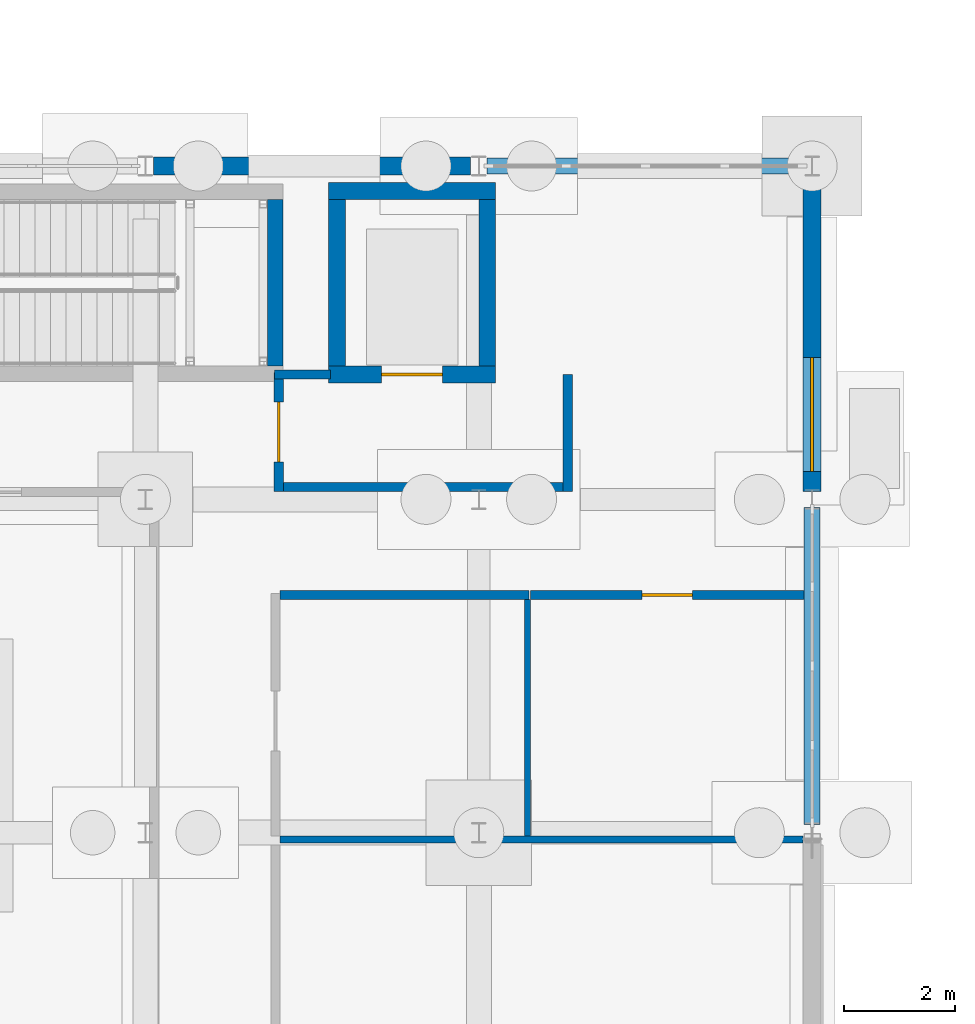
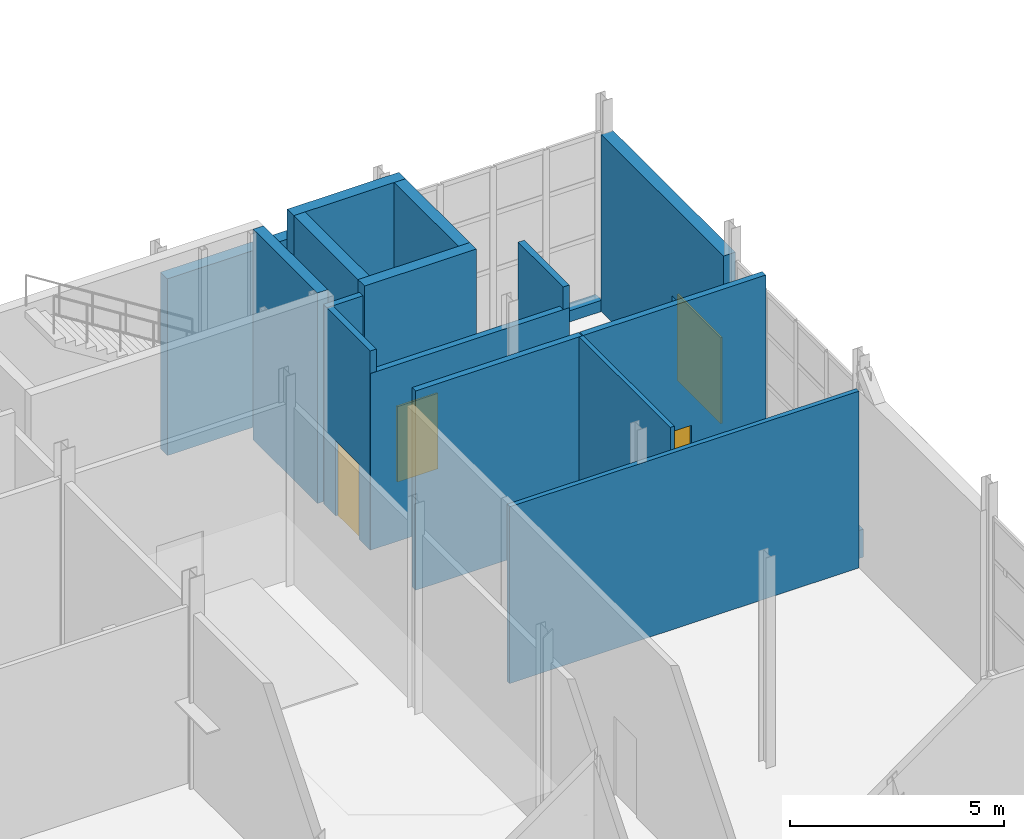
# One storey, part 98 of 120: 17 walls, 4 doors, 4 openings.
"""IFC4 building model written with IfcOpenShell, lengths in metres."""

from ifc_helpers import new_model, si_unit, direction, frame, frame_2d, origin, place, context, subcontext, project, spatial, rectangle, extrude, material, layer, layer_set, type_object, element, fill, save


model = new_model("IFC4")

# Units and contexts
model_context = context("Model", 3, precision=1e-05, world=origin(), true_north=direction((0.0, 1.0)))
body_context = subcontext(model_context, "Body", "Model", "MODEL_VIEW")
ifc_project = project(units=[si_unit("LENGTHUNIT", "METRE"), si_unit("AREAUNIT", "SQUARE_METRE"), si_unit("VOLUMEUNIT", "CUBIC_METRE"), si_unit("PLANEANGLEUNIT", "RADIAN"), si_unit("MASSUNIT", "GRAM", prefix="KILO")], contexts=[model_context])

# Site, building, storey
site_placement = place(None, origin())
site = spatial("IfcSite", under=ifc_project, at=site_placement, CompositionType="ELEMENT")
building_placement = place(site_placement, origin())
building = spatial("IfcBuilding", under=site, at=building_placement, Name="Siltcreek Boulevard Central Fire Station", CompositionType="ELEMENT")
storey_placement = place(building_placement, origin())
storey = spatial("IfcBuildingStorey", under=building, at=storey_placement, Name="L01", CompositionType="ELEMENT", Elevation=0.0)

# Wall
ifc_material_1 = material(Name="Concrete C40/50", Category="concrete")
ifc_layer_1 = layer(ifc_material_1, 0.280029296875, Name="Concrete C40/50")
ifc_layer_set_1 = layer_set([ifc_layer_1], Name="Concrete C40/50")
wall_type_1 = type_object("IfcWallType", Name="CW_SHEAR280", PredefinedType="SHEAR", material=ifc_layer_set_1)
wall_1_placement = place(storey_placement, frame((98.340087890625, 50.39990234375, 0.0), z_axis=(0.0, 0.0, 1.0), x_axis=(0.0, 1.0, 0.0)))
element("IfcWall", 1, at=wall_1_placement, inside=storey, type_object=wall_type_1, Name="L01 ST-V2A stair enclosure east shear wall", PredefinedType="SHEAR", context=body_context, shape_type="SweptSolid", body=[
    extrude(rectangle(XDim=3.0, YDim=0.280029296875, at=frame_2d((1.5, 0.0))), origin(), (0.0, 0.0, 1.0), 6.0),
])

# Wall, opening, door
ifc_layer_2 = layer(ifc_material_1, 0.304931640625, Name="Concrete C40/50")
ifc_layer_set_2 = layer_set([ifc_layer_2], Name="Concrete C40/50")
wall_type_2 = type_object("IfcWallType", Name="CW_SHEAR305", PredefinedType="SHEAR", material=ifc_layer_set_2)
wall_2_placement = place(storey_placement, frame((99.294921875, 50.24755859375, 0.0), z_axis=(0.0, 0.0, 1.0), x_axis=(1.0, 0.0, 0.0)))
wall_2 = element("IfcWall", 2, at=wall_2_placement, inside=storey, type_object=wall_type_2, Name="L01 EL-03 elevator shaft south shear wall", PredefinedType="SHEAR", context=body_context, shape_type="SweptSolid", body=[
    extrude(rectangle(XDim=3.010009765625, YDim=0.304931640625, at=frame_2d((1.5048828125, 0.0))), origin(), (0.0, 0.0, 1.0), 6.0),
])
opening_1_placement = place(wall_2_placement, frame((0.955078125, 0.0, 0.0)))
opening_1 = element("IfcOpeningElement", 3, at=opening_1_placement, cuts=wall_2, Name="Opening LD01", PredefinedType="OPENING", context=body_context, shape_type="SweptSolid", body=[
    extrude(rectangle(XDim=1.10009765625, YDim=2.14990234375, at=frame_2d((0.550048828125, 1.074951171875))), frame((0.0, 0.162353515625, 0.0), z_axis=(0.0, -1.0, 0.0), x_axis=(1.0, 0.0, 0.0)), (0.0, 0.0, 1.0), 0.324951171875),
])
ifc_material_2 = material(Name="Stainless steel fire-rated sliding elevator landing door", Category="steel")
door_type_1 = type_object("IfcDoorType", Name="DR_LD_110X215", OperationType="NOTDEFINED", PredefinedType="DOOR", material=ifc_material_2)
door_1_placement = place(opening_1_placement, origin())
door_1 = element("IfcDoor", 4, at=door_1_placement, inside=storey, type_object=door_type_1, Name="L01 EL-03 elevator sliding landing door LD-13", OperationType="SLIDING_TO_LEFT", OverallHeight=2.14990234375, OverallWidth=1.10009765625, PredefinedType="DOOR", context=body_context, shape_type="SweptSolid", body=[
    extrude(rectangle(XDim=1.10009765625, YDim=2.14990234375, at=frame_2d((0.550048828125, 1.074951171875))), frame((0.0, 0.02490234375, 0.0), z_axis=(0.0, -1.0, 0.0), x_axis=(1.0, 0.0, 0.0)), (0.0, 0.0, 1.0), 0.050048828125),
])
fill(opening_1, door_1)

# Walls
wall_3_placement = place(storey_placement, frame((102.304931640625, 53.552490234375, 0.0), z_axis=(0.0, 0.0, 1.0), x_axis=(-1.0, 0.0, 0.0)))
element("IfcWall", 5, at=wall_3_placement, inside=storey, type_object=wall_type_2, Name="L01 EL-03 elevator shaft north shear wall", PredefinedType="SHEAR", context=body_context, shape_type="SweptSolid", body=[
    extrude(rectangle(XDim=3.010009765625, YDim=0.304931640625, at=frame_2d((1.5048828125, 0.0))), origin(), (0.0, 0.0, 1.0), 6.0),
])
for number, where, z_axis, x_axis, name in (
    (6, (99.447509765625, 53.39990234375, 0.0), (0.0, 0.0, 1.0), (0.0, -1.0, 0.0), "L01 EL-03 elevator shaft west shear wall"),
    (7, (102.152587890625, 50.39990234375, 0.0), (0.0, 0.0, 1.0), (0.0, 1.0, 0.0), "L01 EL-03 elevator shaft east shear wall"),
):
    element("IfcWall", number, at=place(storey_placement, frame(where, z_axis=z_axis, x_axis=x_axis)), inside=storey, type_object=wall_type_2, Name=name, PredefinedType="SHEAR", context=body_context, shape_type="SweptSolid", body=[
        extrude(rectangle(XDim=3.0, YDim=0.304931640625, at=frame_2d((1.5, 0.0))), origin(), (0.0, 0.0, 1.0), 6.0),
    ])
ifc_material_3 = material(Name="White ribbed aluminum spandrel wall", Category="aluminium")
ifc_layer_3 = layer(ifc_material_3, 0.2900390625, Name="White ribbed aluminum spandrel wall")
ifc_layer_set_3 = layer_set([ifc_layer_3], Name="White ribbed aluminum spandrel wall")
wall_type_3 = type_object("IfcWallType", Name="EW_METAL290", PredefinedType="STANDARD", material=ifc_layer_set_3)
wall_4_placement = place(storey_placement, frame((107.85498046875, 54.0, 0.0), z_axis=(0.0, 0.0, 1.0), x_axis=(-1.0, 0.0, 0.0)))
element("IfcWall", 8, at=wall_4_placement, inside=storey, type_object=wall_type_3, Name="L01 V2 curtain-wall sill spandrel 0054", PredefinedType="STANDARD", context=body_context, shape_type="SweptSolid", body=[
    extrude(rectangle(XDim=5.7099609375, YDim=0.2900390625, at=frame_2d((2.85498046875, 0.0))), origin(), (0.0, 0.0, 1.0), 0.320068359375),
])
wall_5_placement = place(storey_placement, frame((108.0, 42.14501953125, 0.0), z_axis=(0.0, 0.0, 1.0), x_axis=(0.0, 1.0, 0.0)))
element("IfcWall", 9, at=wall_5_placement, inside=storey, type_object=wall_type_3, Name="L01 V2 curtain-wall sill spandrel 0059", PredefinedType="STANDARD", context=body_context, shape_type="SweptSolid", body=[
    extrude(rectangle(XDim=5.7099609375, YDim=0.2900390625, at=frame_2d((2.85498046875, 0.0))), origin(), (0.0, 0.0, 1.0), 0.800048828125),
])
ifc_material_4 = material(Name="White ribbed aluminum insulated rainscreen panel", Category="aluminium")
ifc_layer_4 = layer(ifc_material_4, 0.320068359375, Name="White ribbed aluminum insulated rainscreen panel")
ifc_layer_set_4 = layer_set([ifc_layer_4], Name="White ribbed aluminum insulated rainscreen panel")
wall_type_4 = type_object("IfcWallType", Name="EW_METAL320", PredefinedType="STANDARD", material=ifc_layer_set_4)
wall_6_placement = place(storey_placement, frame((101.85498046875, 54.0, 0.0), z_axis=(0.0, 0.0, 1.0), x_axis=(-1.0, 0.0, 0.0)))
element("IfcWall", 10, at=wall_6_placement, inside=storey, type_object=wall_type_4, Name="L01 V2 exterior insulated rainscreen wall WL-EXT-L01-0053", PredefinedType="STANDARD", context=body_context, shape_type="SweptSolid", body=[
    extrude(rectangle(XDim=5.7099609375, YDim=0.320068359375, at=frame_2d((2.85498046875, 0.0))), origin(), (0.0, 0.0, 1.0), 5.034912109375),
])

# Wall, opening, door
wall_7_placement = place(storey_placement, frame((108.0, 48.14501953125, 0.0), z_axis=(0.0, 0.0, 1.0), x_axis=(0.0, 1.0, 0.0)))
wall_7 = element("IfcWall", 11, at=wall_7_placement, inside=storey, type_object=wall_type_4, Name="L01 V2 exterior insulated rainscreen wall WL-EXT-L01-0060", PredefinedType="STANDARD", context=body_context, shape_type="SweptSolid", body=[
    extrude(rectangle(XDim=5.7099609375, YDim=0.320068359375, at=frame_2d((2.85498046875, 0.0))), origin(), (0.0, 0.0, 1.0), 5.0439453125),
])
opening_2_placement = place(wall_7_placement, frame((0.3603515625, 0.0, 0.0)))
opening_2 = element("IfcOpeningElement", 12, at=opening_2_placement, cuts=wall_7, Name="Opening ED-111", PredefinedType="OPENING", context=body_context, shape_type="SweptSolid", body=[
    extrude(rectangle(XDim=2.050048828125, YDim=2.449951171875, at=frame_2d((1.02490234375, 1.22509765625))), frame((0.0, 0.169921875, 0.0), z_axis=(0.0, -1.0, 0.0), x_axis=(1.0, 0.0, 0.0)), (0.0, 0.0, 1.0), 0.340087890625),
])
ifc_material_5 = material(Name="Anodized aluminum glazed main entrance pair", Category="aluminium")
door_type_2 = type_object("IfcDoorType", Name="DR_EXT_205X245", OperationType="NOTDEFINED", PredefinedType="DOOR", material=ifc_material_5)
door_2_placement = place(opening_2_placement, frame((2.050048828125, 0.0, 0.0), z_axis=(0.0, 0.0, 1.0), x_axis=(-1.0, 0.0, 0.0)))
door_2 = element("IfcDoor", 13, at=door_2_placement, inside=storey, type_object=door_type_2, Name="Ground level pedestrian final exit door ED-111", OperationType="DOUBLE_DOOR_SINGLE_SWING", OverallHeight=2.449951171875, OverallWidth=2.050048828125, PredefinedType="DOOR", context=body_context, shape_type="SweptSolid", body=[
    extrude(rectangle(XDim=2.050048828125, YDim=2.449951171875, at=frame_2d((1.02490234375, 1.22509765625))), frame((0.0, 0.02490234375, 0.0), z_axis=(0.0, -1.0, 0.0), x_axis=(1.0, 0.0, 0.0)), (0.0, 0.0, 1.0), 0.050048828125),
])
fill(opening_2, door_2)

# Walls
ifc_material_6 = material(Name="Interior steel stud gypsum partition", Category="steel")
ifc_layer_5 = layer(ifc_material_6, 0.125, Name="Interior steel stud gypsum partition")
ifc_layer_set_5 = layer_set([ifc_layer_5], Name="Interior steel stud gypsum partition")
wall_type_5 = type_object("IfcWallType", Name="IW_PART125", PredefinedType="PARTITIONING", material=ifc_layer_set_5)
wall_8_placement = place(storey_placement, frame((98.419921875, 41.8798828125, 0.0), z_axis=(0.0, 0.0, 1.0), x_axis=(1.0, 0.0, 0.0)))
element("IfcWall", 14, at=wall_8_placement, inside=storey, type_object=wall_type_5, Name="L01 Station Duty Locker Room partition 0061", PredefinedType="PARTITIONING", context=body_context, shape_type="SweptSolid", body=[
    extrude(rectangle(XDim=9.420166015625, YDim=0.125, at=frame_2d((4.7099609375, 0.0))), origin(), (0.0, 0.0, 1.0), 5.034912109375),
])
ifc_material_7 = material(Name="Acoustic smoke-barrier steel stud gypsum wall", Category="steel")
ifc_layer_6 = layer(ifc_material_7, 0.1650390625, Name="Acoustic smoke-barrier steel stud gypsum wall")
ifc_layer_set_6 = layer_set([ifc_layer_6], Name="Acoustic smoke-barrier steel stud gypsum wall")
wall_type_6 = type_object("IfcWallType", Name="IW_SMK165", PredefinedType="PARTITIONING", material=ifc_layer_set_6)
wall_9_placement = place(storey_placement, frame((98.320068359375, 48.219970703125, 0.0), z_axis=(0.0, 0.0, 1.0), x_axis=(1.0, 0.0, 0.0)))
element("IfcWall", 15, at=wall_9_placement, inside=storey, type_object=wall_type_6, Name="L01 EL-03 elevator lobby S smoke partition", PredefinedType="PARTITIONING", context=body_context, shape_type="SweptSolid", body=[
    extrude(rectangle(XDim=5.35986328125, YDim=0.1650390625, at=frame_2d((2.679931640625, 0.0))), origin(), (0.0, 0.0, 1.0), 5.034912109375),
])
wall_10_placement = place(storey_placement, frame((103.60009765625, 48.139892578125, 0.0), z_axis=(0.0, 0.0, 1.0), x_axis=(0.0, 1.0, 0.0)))
element("IfcWall", 16, at=wall_10_placement, inside=storey, type_object=wall_type_6, Name="L01 EL-03 elevator lobby E smoke partition", PredefinedType="PARTITIONING", context=body_context, shape_type="SweptSolid", body=[
    extrude(rectangle(XDim=2.107666015625, YDim=0.1650390625, at=frame_2d((1.0537109375, 0.0))), origin(), (0.0, 0.0, 1.0), 5.679931640625),
])
wall_11_placement = place(storey_placement, frame((98.320068359375, 50.24755859375, 0.0), z_axis=(0.0, 0.0, 1.0), x_axis=(1.0, 0.0, 0.0)))
element("IfcWall", 17, at=wall_11_placement, inside=storey, type_object=wall_type_6, Name="L01 EL-03 elevator lobby NW smoke partition", PredefinedType="PARTITIONING", context=body_context, shape_type="SweptSolid", body=[
    extrude(rectangle(XDim=1.014892578125, YDim=0.1650390625, at=frame_2d((0.50732421875, 0.0))), origin(), (0.0, 0.0, 1.0), 5.679931640625),
])

# Wall, opening, door
wall_12_placement = place(storey_placement, frame((98.39990234375, 48.139892578125, 0.0), z_axis=(0.0, 0.0, 1.0), x_axis=(0.0, 1.0, 0.0)))
wall_12 = element("IfcWall", 18, at=wall_12_placement, inside=storey, type_object=wall_type_6, Name="L01 EL-03 elevator lobby west smoke partition", PredefinedType="PARTITIONING", context=body_context, shape_type="SweptSolid", body=[
    extrude(rectangle(XDim=2.147705078125, YDim=0.1650390625, at=frame_2d((1.07373046875, 0.0))), origin(), (0.0, 0.0, 1.0), 5.679931640625),
])
opening_3_placement = place(wall_12_placement, frame((0.53369140625, 0.0, 0.0)))
opening_3 = element("IfcOpeningElement", 19, at=opening_3_placement, cuts=wall_12, Name="Opening DD01", PredefinedType="OPENING", context=body_context, shape_type="SweptSolid", body=[
    extrude(rectangle(XDim=1.080078125, YDim=2.139892578125, at=frame_2d((0.5400390625, 1.06982421875))), frame((0.0, 0.092529296875, 0.0), z_axis=(0.0, -1.0, 0.0), x_axis=(1.0, 0.0, 0.0)), (0.0, 0.0, 1.0), 0.18505859375),
])
ifc_material_8 = material(Name="Stainless steel positive-pressure decon airlock door", Category="steel")
door_type_3 = type_object("IfcDoorType", Name="DR_DEC_108X214", OperationType="NOTDEFINED", PredefinedType="DOOR", material=ifc_material_8)
door_3_placement = place(opening_3_placement, frame((1.080078125, 0.0, 0.0), z_axis=(0.0, 0.0, 1.0), x_axis=(-1.0, 0.0, 0.0)))
door_3 = element("IfcDoor", 20, at=door_3_placement, inside=storey, type_object=door_type_3, Name="L01 EL-03 elevator lobby smoke door", OperationType="SINGLE_SWING_RIGHT", OverallHeight=2.139892578125, OverallWidth=1.080078125, PredefinedType="DOOR", context=body_context, shape_type="SweptSolid", body=[
    extrude(rectangle(XDim=1.080078125, YDim=2.139892578125, at=frame_2d((0.5400390625, 1.06982421875))), frame((0.0, 0.02490234375, 0.0), z_axis=(0.0, -1.0, 0.0), x_axis=(1.0, 0.0, 0.0)), (0.0, 0.0, 1.0), 0.050048828125),
])
fill(opening_3, door_3)

# Wall
wall_13_placement = place(storey_placement, frame((98.419921875, 46.280029296875, 0.0), z_axis=(0.0, 0.0, 1.0), x_axis=(1.0, 0.0, 0.0)))
element("IfcWall", 21, at=wall_13_placement, inside=storey, type_object=wall_type_6, Name="L01 Crew Accessible Toilet L01 partition 0064", PredefinedType="PARTITIONING", context=body_context, shape_type="SweptSolid", body=[
    extrude(rectangle(XDim=4.482666015625, YDim=0.1650390625, at=frame_2d((2.2412109375, 0.0))), origin(), (0.0, 0.0, 1.0), 5.679931640625),
])

# Wall, opening, door
wall_14_placement = place(storey_placement, frame((102.93505859375, 46.280029296875, 0.0), z_axis=(0.0, 0.0, 1.0), x_axis=(1.0, 0.0, 0.0)))
wall_14 = element("IfcWall", 22, at=wall_14_placement, inside=storey, type_object=wall_type_6, Name="L01 Apparatus Hose Reserve Room partition 0066", PredefinedType="PARTITIONING", context=body_context, shape_type="SweptSolid", body=[
    extrude(rectangle(XDim=4.919921875, YDim=0.1650390625, at=frame_2d((2.4599609375, 0.0))), origin(), (0.0, 0.0, 1.0), 5.679931640625),
])
opening_4_placement = place(wall_14_placement, frame((2.0048828125, 0.0, 0.0)))
opening_4 = element("IfcOpeningElement", 23, at=opening_4_placement, cuts=wall_14, Name="Opening ID04", PredefinedType="OPENING", context=body_context, shape_type="SweptSolid", body=[
    extrude(rectangle(XDim=0.909912109375, YDim=2.10009765625, at=frame_2d((0.455078125, 1.050048828125))), frame((0.0, 0.092529296875, 0.0), z_axis=(0.0, -1.0, 0.0), x_axis=(1.0, 0.0, 0.0)), (0.0, 0.0, 1.0), 0.18505859375),
])
ifc_material_9 = material(Name="STC-45 acoustic crew bunk room door")
door_type_4 = type_object("IfcDoorType", Name="DR_BNK_091X210", OperationType="NOTDEFINED", PredefinedType="DOOR", material=ifc_material_9)
door_4_placement = place(opening_4_placement, frame((0.909912109375, 0.0, 0.0), z_axis=(0.0, 0.0, 1.0), x_axis=(-1.0, 0.0, 0.0)))
door_4 = element("IfcDoor", 24, at=door_4_placement, inside=storey, type_object=door_type_4, Name="L01 Apparatus Hose Reserve Room door ID-0030", OperationType="SINGLE_SWING_LEFT", OverallHeight=2.10009765625, OverallWidth=0.909912109375, PredefinedType="DOOR", context=body_context, shape_type="SweptSolid", body=[
    extrude(rectangle(XDim=0.909912109375, YDim=2.10009765625, at=frame_2d((0.455078125, 1.050048828125))), frame((0.0, 0.02490234375, 0.0), z_axis=(0.0, -1.0, 0.0), x_axis=(1.0, 0.0, 0.0)), (0.0, 0.0, 1.0), 0.050048828125),
])
fill(opening_4, door_4)

# Wall
ifc_material_10 = material(Name="Moisture-resistant tile backer toilet partition", Category="gypsum")
ifc_layer_7 = layer(ifc_material_10, 0.110107421875, Name="Moisture-resistant tile backer toilet partition")
ifc_layer_set_7 = layer_set([ifc_layer_7], Name="Moisture-resistant tile backer toilet partition")
wall_type_7 = type_object("IfcWallType", Name="IW_WET110", PredefinedType="PARTITIONING", material=ifc_layer_set_7)
wall_15_placement = place(storey_placement, frame((102.8798828125, 46.199951171875, 0.0), z_axis=(0.0, 0.0, 1.0), x_axis=(0.0, -1.0, 0.0)))
element("IfcWall", 25, at=wall_15_placement, inside=storey, type_object=wall_type_7, Name="L01 Crew Accessible Toilet L01 partition 0065", PredefinedType="PARTITIONING", context=body_context, shape_type="SweptSolid", body=[
    extrude(rectangle(XDim=4.257568359375, YDim=0.110107421875, at=frame_2d((2.12890625, 0.0))), origin(), (0.0, 0.0, 1.0), 5.679931640625),
])

save(model, "model.ifc")
